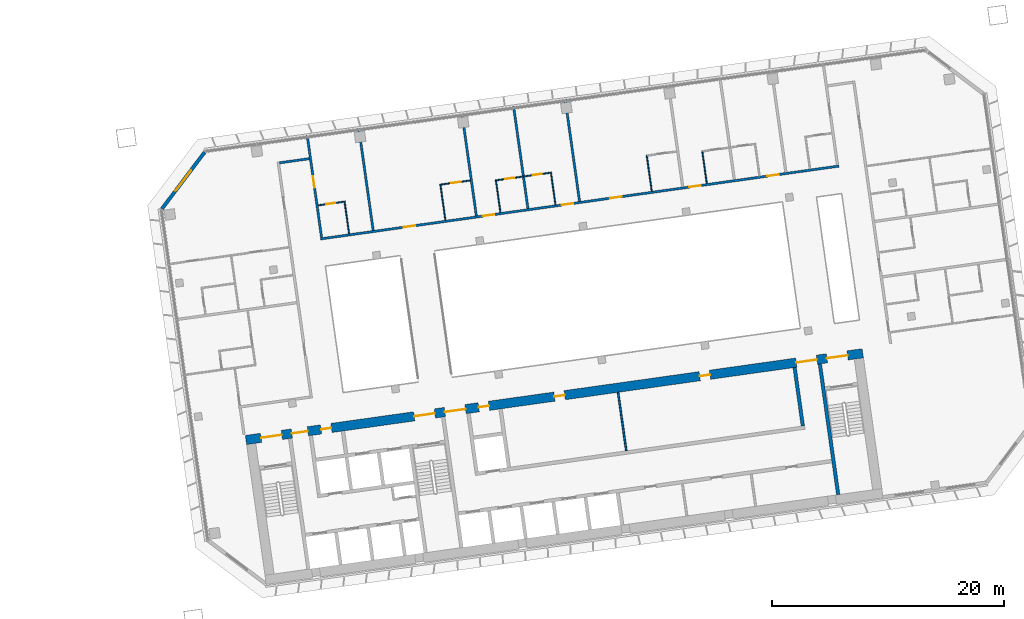
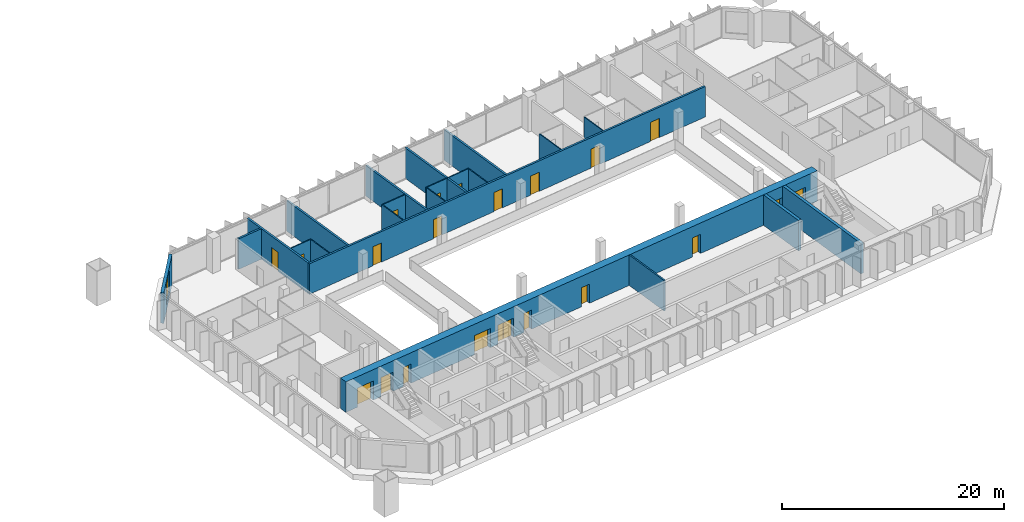
# One storey, part 20 of 26: 21 doors, 21 walls, 1 window, 22 openings.
"""IFC4 building model written with IfcOpenShell, lengths in metres."""

from ifc_helpers import new_model, si_unit, direction, frame, frame_2d, origin, place, context, subcontext, project, spatial, rectangle, extrude, material, layer, layer_set, type_object, element, fill, save


model = new_model("IFC4")

# Units and contexts
model_context = context("Model", 3, precision=1e-05, world=origin(), true_north=direction((0.0, 1.0)))
body_context = subcontext(model_context, "Body", "Model", "MODEL_VIEW")
ifc_project = project(units=[si_unit("LENGTHUNIT", "METRE"), si_unit("AREAUNIT", "SQUARE_METRE"), si_unit("VOLUMEUNIT", "CUBIC_METRE"), si_unit("PLANEANGLEUNIT", "RADIAN"), si_unit("MASSUNIT", "GRAM", prefix="KILO")], contexts=[model_context])

# Site, building, storey
site_placement = place(None, origin())
site = spatial("IfcSite", under=ifc_project, at=site_placement, CompositionType="ELEMENT")
building_placement = place(site_placement, origin())
building = spatial("IfcBuilding", under=site, at=building_placement, Name="Mirante Cascada Hotel Towers", CompositionType="ELEMENT")
storey_placement = place(building_placement, frame((0.0, 0.0, 113.9)))
storey = spatial("IfcBuildingStorey", under=building, at=storey_placement, Name="L25", CompositionType="ELEMENT", Elevation=113.9)

# Wall, openings, doors
ifc_material_1 = material(Name="Fire-rated plasterboard on metal studs")
ifc_layer_1 = layer(ifc_material_1, 0.2)
ifc_layer_set_1 = layer_set([ifc_layer_1], Name="Compartment wall 200 EI 120")
wall_type_1 = type_object("IfcWallType", Name="Compartment wall 200 EI 120", PredefinedType="PARTITIONING", material=ifc_layer_set_1)
wall_1_placement = place(storey_placement, frame((86.638, 16.0582, 0.0), z_axis=(0.0, 0.0, 1.0), x_axis=(-0.9902681, -0.1391726, 0.0)))
wall_1 = element("IfcWall", 1, at=wall_1_placement, inside=storey, type_object=wall_type_1, Name="Wall 2-L25-17", PredefinedType="PARTITIONING", context=body_context, shape_type="SweptSolid", body=[
    extrude(rectangle(XDim=45.2, YDim=0.2, at=frame_2d((22.6, 0.0))), origin(), (0.0, 0.0, 1.0), 3.35),
])
opening_1_placement = place(wall_1_placement, frame((36.95, 0.0, 0.0)))
opening_1 = element("IfcOpeningElement", 2, at=opening_1_placement, cuts=wall_1, Name="Opening D2-L25-07", PredefinedType="OPENING", context=body_context, shape_type="SweptSolid", body=[
    extrude(rectangle(XDim=1.0, YDim=2.1, at=frame_2d((0.5, 1.05))), frame((0.0, 0.1, 0.0), z_axis=(0.0, -1.0, 0.0), x_axis=(1.0, 0.0, 0.0)), (0.0, 0.0, 1.0), 0.2),
])
opening_2_placement = place(wall_1_placement, frame((30.05, 0.0, 0.0)))
opening_2 = element("IfcOpeningElement", 3, at=opening_2_placement, cuts=wall_1, Name="Opening D2-L25-08", PredefinedType="OPENING", context=body_context, shape_type="SweptSolid", body=[
    extrude(rectangle(XDim=1.0, YDim=2.1, at=frame_2d((0.5, 1.05))), frame((0.0, 0.1, 0.0), z_axis=(0.0, -1.0, 0.0), x_axis=(1.0, 0.0, 0.0)), (0.0, 0.0, 1.0), 0.2),
])
opening_3_placement = place(wall_1_placement, frame((23.15, 0.0, 0.0)))
opening_3 = element("IfcOpeningElement", 4, at=opening_3_placement, cuts=wall_1, Name="Opening D2-L25-09", PredefinedType="OPENING", context=body_context, shape_type="SweptSolid", body=[
    extrude(rectangle(XDim=1.0, YDim=2.1, at=frame_2d((0.5, 1.05))), frame((0.0, 0.1, 0.0), z_axis=(0.0, -1.0, 0.0), x_axis=(1.0, 0.0, 0.0)), (0.0, 0.0, 1.0), 0.2),
])
opening_4_placement = place(wall_1_placement, frame((18.95, 0.0, 0.0)))
opening_4 = element("IfcOpeningElement", 5, at=opening_4_placement, cuts=wall_1, Name="Opening D2-L25-10", PredefinedType="OPENING", context=body_context, shape_type="SweptSolid", body=[
    extrude(rectangle(XDim=1.0, YDim=2.1, at=frame_2d((0.5, 1.05))), frame((0.0, 0.1, 0.0), z_axis=(0.0, -1.0, 0.0), x_axis=(1.0, 0.0, 0.0)), (0.0, 0.0, 1.0), 0.2),
])
opening_5_placement = place(wall_1_placement, frame((12.05, 0.0, 0.0)))
opening_5 = element("IfcOpeningElement", 6, at=opening_5_placement, cuts=wall_1, Name="Opening D2-L25-11", PredefinedType="OPENING", context=body_context, shape_type="SweptSolid", body=[
    extrude(rectangle(XDim=1.0, YDim=2.1, at=frame_2d((0.5, 1.05))), frame((0.0, 0.1, 0.0), z_axis=(0.0, -1.0, 0.0), x_axis=(1.0, 0.0, 0.0)), (0.0, 0.0, 1.0), 0.2),
])
opening_6_placement = place(wall_1_placement, frame((5.25, 0.0, 0.0)))
opening_6 = element("IfcOpeningElement", 7, at=opening_6_placement, cuts=wall_1, Name="Opening D2-L25-12", PredefinedType="OPENING", context=body_context, shape_type="SweptSolid", body=[
    extrude(rectangle(XDim=1.0, YDim=2.1, at=frame_2d((0.5, 1.05))), frame((0.0, 0.1, 0.0), z_axis=(0.0, -1.0, 0.0), x_axis=(1.0, 0.0, 0.0)), (0.0, 0.0, 1.0), 0.2),
])
ifc_material_2 = material(Name="Fire-rated timber door leaf", Category="wood")
door_type_1 = type_object("IfcDoorType", Name="Entrance door DG1 1000x2100 EI 60", OperationType="SINGLE_SWING_LEFT", PredefinedType="DOOR", material=ifc_material_2)
door_1_placement = place(opening_1_placement, frame((1.0, 0.0, 0.0), z_axis=(0.0, 0.0, 1.0), x_axis=(-1.0, 0.0, 0.0)))
door_1 = element("IfcDoor", 8, at=door_1_placement, inside=storey, type_object=door_type_1, Name="Door D2-L25-07", OperationType="SINGLE_SWING_RIGHT", OverallHeight=2.1, OverallWidth=1.0, PredefinedType="DOOR", context=body_context, shape_type="SweptSolid", body=[
    extrude(rectangle(XDim=1.0, YDim=2.1, at=frame_2d((0.5, 1.05))), frame((0.0, 0.025, 0.0), z_axis=(0.0, -1.0, 0.0), x_axis=(1.0, 0.0, 0.0)), (0.0, 0.0, 1.0), 0.05),
])
fill(opening_1, door_1)
door_2_placement = place(opening_2_placement, frame((1.0, 0.0, 0.0), z_axis=(0.0, 0.0, 1.0), x_axis=(-1.0, 0.0, 0.0)))
door_2 = element("IfcDoor", 9, at=door_2_placement, inside=storey, type_object=door_type_1, Name="Door D2-L25-08", OperationType="SINGLE_SWING_RIGHT", OverallHeight=2.1, OverallWidth=1.0, PredefinedType="DOOR", context=body_context, shape_type="SweptSolid", body=[
    extrude(rectangle(XDim=1.0, YDim=2.1, at=frame_2d((0.5, 1.05))), frame((0.0, 0.025, 0.0), z_axis=(0.0, -1.0, 0.0), x_axis=(1.0, 0.0, 0.0)), (0.0, 0.0, 1.0), 0.05),
])
fill(opening_2, door_2)
door_3_placement = place(opening_3_placement, frame((1.0, 0.0, 0.0), z_axis=(0.0, 0.0, 1.0), x_axis=(-1.0, 0.0, 0.0)))
door_3 = element("IfcDoor", 10, at=door_3_placement, inside=storey, type_object=door_type_1, Name="Door D2-L25-09", OperationType="SINGLE_SWING_RIGHT", OverallHeight=2.1, OverallWidth=1.0, PredefinedType="DOOR", context=body_context, shape_type="SweptSolid", body=[
    extrude(rectangle(XDim=1.0, YDim=2.1, at=frame_2d((0.5, 1.05))), frame((0.0, 0.025, 0.0), z_axis=(0.0, -1.0, 0.0), x_axis=(1.0, 0.0, 0.0)), (0.0, 0.0, 1.0), 0.05),
])
fill(opening_3, door_3)
door_4_placement = place(opening_4_placement, frame((1.0, 0.0, 0.0), z_axis=(0.0, 0.0, 1.0), x_axis=(-1.0, 0.0, 0.0)))
door_4 = element("IfcDoor", 11, at=door_4_placement, inside=storey, type_object=door_type_1, Name="Door D2-L25-10", OperationType="SINGLE_SWING_RIGHT", OverallHeight=2.1, OverallWidth=1.0, PredefinedType="DOOR", context=body_context, shape_type="SweptSolid", body=[
    extrude(rectangle(XDim=1.0, YDim=2.1, at=frame_2d((0.5, 1.05))), frame((0.0, 0.025, 0.0), z_axis=(0.0, -1.0, 0.0), x_axis=(1.0, 0.0, 0.0)), (0.0, 0.0, 1.0), 0.05),
])
fill(opening_4, door_4)
door_5_placement = place(opening_5_placement, frame((1.0, 0.0, 0.0), z_axis=(0.0, 0.0, 1.0), x_axis=(-1.0, 0.0, 0.0)))
door_5 = element("IfcDoor", 12, at=door_5_placement, inside=storey, type_object=door_type_1, Name="Door D2-L25-11", OperationType="SINGLE_SWING_RIGHT", OverallHeight=2.1, OverallWidth=1.0, PredefinedType="DOOR", context=body_context, shape_type="SweptSolid", body=[
    extrude(rectangle(XDim=1.0, YDim=2.1, at=frame_2d((0.5, 1.05))), frame((0.0, 0.025, 0.0), z_axis=(0.0, -1.0, 0.0), x_axis=(1.0, 0.0, 0.0)), (0.0, 0.0, 1.0), 0.05),
])
fill(opening_5, door_5)
door_6_placement = place(opening_6_placement, frame((1.0, 0.0, 0.0), z_axis=(0.0, 0.0, 1.0), x_axis=(-1.0, 0.0, 0.0)))
door_6 = element("IfcDoor", 13, at=door_6_placement, inside=storey, type_object=door_type_1, Name="Door D2-L25-12", OperationType="SINGLE_SWING_RIGHT", OverallHeight=2.1, OverallWidth=1.0, PredefinedType="DOOR", context=body_context, shape_type="SweptSolid", body=[
    extrude(rectangle(XDim=1.0, YDim=2.1, at=frame_2d((0.5, 1.05))), frame((0.0, 0.025, 0.0), z_axis=(0.0, -1.0, 0.0), x_axis=(1.0, 0.0, 0.0)), (0.0, 0.0, 1.0), 0.05),
])
fill(opening_6, door_6)

# Wall
wall_2_placement = place(storey_placement, frame((38.329, 16.3376, 0.0), z_axis=(0.0, 0.0, 1.0), x_axis=(0.9902647, 0.1391971, 0.0)))
element("IfcWall", 14, at=wall_2_placement, inside=storey, type_object=wall_type_1, Name="Wall 2-L25-24", PredefinedType="PARTITIONING", context=body_context, shape_type="SweptSolid", body=[
    extrude(rectangle(XDim=2.5999, YDim=0.2, at=frame_2d((1.3, 0.0))), origin(), (0.0, 0.0, 1.0), 3.35),
])

# Wall, opening, door
wall_3_placement = place(storey_placement, frame((41.963, 9.8805, 0.0), z_axis=(0.0, 0.0, 1.0), x_axis=(-0.1391794, 0.9902672, 0.0)))
wall_3 = element("IfcWall", 15, at=wall_3_placement, inside=storey, type_object=wall_type_1, Name="Wall 2-L25-34", PredefinedType="PARTITIONING", context=body_context, shape_type="SweptSolid", body=[
    extrude(rectangle(XDim=8.9, YDim=0.2, at=frame_2d((4.45, 0.0))), origin(), (0.0, 0.0, 1.0), 3.35),
])
opening_7_placement = place(wall_3_placement, frame((4.35, 0.0, 0.0)))
opening_7 = element("IfcOpeningElement", 16, at=opening_7_placement, cuts=wall_3, Name="Opening D2-L25-28", PredefinedType="OPENING", context=body_context, shape_type="SweptSolid", body=[
    extrude(rectangle(XDim=1.0, YDim=2.1, at=frame_2d((0.5, 1.05))), frame((0.0, 0.1, 0.0), z_axis=(0.0, -1.0, 0.0), x_axis=(1.0, 0.0, 0.0)), (0.0, 0.0, 1.0), 0.2),
])
door_7_placement = place(opening_7_placement, frame((1.0, 0.0, 0.0), z_axis=(0.0, 0.0, 1.0), x_axis=(-1.0, 0.0, 0.0)))
door_7 = element("IfcDoor", 17, at=door_7_placement, inside=storey, type_object=door_type_1, Name="Door D2-L25-28", OperationType="SINGLE_SWING_RIGHT", OverallHeight=2.1, OverallWidth=1.0, PredefinedType="DOOR", context=body_context, shape_type="SweptSolid", body=[
    extrude(rectangle(XDim=1.0, YDim=2.1, at=frame_2d((0.5, 1.05))), frame((0.0, 0.025, 0.0), z_axis=(0.0, -1.0, 0.0), x_axis=(1.0, 0.0, 0.0)), (0.0, 0.0, 1.0), 0.05),
])
fill(opening_7, door_7)

# Walls
for number, where, z_axis, x_axis, name in (
    (18, (46.4192, 10.5068, 0.0), (0.0, 0.0, 1.0), (-0.1391794, 0.9902672, 0.0), "Wall 2-L25-36"),
    (19, (55.3316, 11.7594, 0.0), (0.0, 0.0, 1.0), (-0.1391794, 0.9902672, 0.0), "Wall 2-L25-38"),
):
    element("IfcWall", number, at=place(storey_placement, frame(where, z_axis=z_axis, x_axis=x_axis)), inside=storey, type_object=wall_type_1, Name=name, PredefinedType="PARTITIONING", context=body_context, shape_type="SweptSolid", body=[
        extrude(rectangle(XDim=8.9, YDim=0.2, at=frame_2d((4.45, 0.0))), origin(), (0.0, 0.0, 1.0), 3.35),
    ])
wall_4_placement = place(storey_placement, frame((59.7878, 12.3857, 0.0), z_axis=(0.0, 0.0, 1.0), x_axis=(-0.13917, 0.9902685, 0.0)))
element("IfcWall", 20, at=wall_4_placement, inside=storey, type_object=wall_type_1, Name="Wall 2-L25-40", PredefinedType="PARTITIONING", context=body_context, shape_type="SweptSolid", body=[
    extrude(rectangle(XDim=8.8999, YDim=0.2, at=frame_2d((4.45, 0.0))), origin(), (0.0, 0.0, 1.0), 3.35),
])
wall_5_placement = place(storey_placement, frame((64.244, 13.0119, 0.0), z_axis=(0.0, 0.0, 1.0), x_axis=(-0.1391684, 0.9902687, 0.0)))
element("IfcWall", 21, at=wall_5_placement, inside=storey, type_object=wall_type_1, Name="Wall 2-L25-42", PredefinedType="PARTITIONING", context=body_context, shape_type="SweptSolid", body=[
    extrude(rectangle(XDim=8.9, YDim=0.2, at=frame_2d((4.45, 0.0))), origin(), (0.0, 0.0, 1.0), 3.35),
])
ifc_material_3 = material(Name="Masonry block", Category="masonry")
ifc_layer_2 = layer(ifc_material_3, 0.15)
ifc_layer_set_2 = layer_set([ifc_layer_2], Name="Core room partition 150 block EI 30")
wall_type_2 = type_object("IfcWallType", Name="Core room partition 150 block EI 30", PredefinedType="PARTITIONING", material=ifc_layer_set_2)
wall_6_placement = place(storey_placement, frame((68.2822, -8.5358, 0.0), z_axis=(0.0, 0.0, 1.0), x_axis=(-0.1391755, 0.9902677, 0.0)))
element("IfcWall", 22, at=wall_6_placement, inside=storey, type_object=wall_type_2, Name="Core wall partition T2 L25 6", PredefinedType="PARTITIONING", context=body_context, shape_type="SweptSolid", body=[
    extrude(rectangle(XDim=5.1, YDim=0.15, at=frame_2d((2.55, 0.0))), origin(), (0.0, 0.0, 1.0), 3.35),
])

# Wall, opening, door
ifc_material_4 = material(Name="Plasterboard on metal studs")
ifc_layer_3 = layer(ifc_material_4, 0.1)
ifc_layer_set_3 = layer_set([ifc_layer_3], Name="Partition 100")
wall_type_3 = type_object("IfcWallType", Name="Partition 100", PredefinedType="PARTITIONING", material=ifc_layer_set_3)
wall_7_placement = place(storey_placement, frame((41.6723, 12.6672, 0.0), z_axis=(0.0, 0.0, 1.0), x_axis=(0.9902643, 0.1391997, 0.0)))
wall_7 = element("IfcWall", 23, at=wall_7_placement, inside=storey, type_object=wall_type_3, Name="Wall 2-L25-18", PredefinedType="PARTITIONING", context=body_context, shape_type="SweptSolid", body=[
    extrude(rectangle(XDim=2.25, YDim=0.1, at=frame_2d((1.125, 0.0))), origin(), (0.0, 0.0, 1.0), 3.35),
])
opening_8_placement = place(wall_7_placement, frame((0.7, 0.0, 0.0)))
opening_8 = element("IfcOpeningElement", 24, at=opening_8_placement, cuts=wall_7, Name="Opening D2-L25-13", PredefinedType="OPENING", context=body_context, shape_type="SweptSolid", body=[
    extrude(rectangle(XDim=0.8, YDim=2.1, at=frame_2d((0.4, 1.05))), frame((0.0, 0.05, 0.0), z_axis=(0.0, -1.0, 0.0), x_axis=(1.0, 0.0, 0.0)), (0.0, 0.0, 1.0), 0.1),
])
ifc_material_5 = material(Name="Timber door leaf", Category="wood")
door_type_2 = type_object("IfcDoorType", Name="Bathroom door DG4 800x2100", OperationType="SINGLE_SWING_LEFT", PredefinedType="DOOR", material=ifc_material_5)
door_8_placement = place(opening_8_placement, origin())
door_8 = element("IfcDoor", 25, at=door_8_placement, inside=storey, type_object=door_type_2, Name="Door D2-L25-13", OperationType="SINGLE_SWING_LEFT", OverallHeight=2.1, OverallWidth=0.8, PredefinedType="DOOR", context=body_context, shape_type="SweptSolid", body=[
    extrude(rectangle(XDim=0.8, YDim=2.1, at=frame_2d((0.4, 1.05))), frame((0.0, 0.025, 0.0), z_axis=(0.0, -1.0, 0.0), x_axis=(1.0, 0.0, 0.0)), (0.0, 0.0, 1.0), 0.05),
])
fill(opening_8, door_8)

# Wall, openings, doors
wall_8_placement = place(storey_placement, frame((61.8243, 15.4994, 0.0), z_axis=(0.0, 0.0, 1.0), x_axis=(-0.9902666, -0.1391838, 0.0)))
wall_8 = element("IfcWall", 26, at=wall_8_placement, inside=storey, type_object=wall_type_3, Name="Wall 2-L25-19", PredefinedType="PARTITIONING", context=body_context, shape_type="SweptSolid", body=[
    extrude(rectangle(XDim=4.9, YDim=0.1, at=frame_2d((2.45, 0.0))), origin(), (0.0, 0.0, 1.0), 3.35),
])
opening_9_placement = place(wall_8_placement, frame((3.25, 0.0, 0.0)))
opening_9 = element("IfcOpeningElement", 27, at=opening_9_placement, cuts=wall_8, Name="Opening D2-L25-14", PredefinedType="OPENING", context=body_context, shape_type="SweptSolid", body=[
    extrude(rectangle(XDim=0.8, YDim=2.1, at=frame_2d((0.4, 1.05))), frame((0.0, 0.05, 0.0), z_axis=(0.0, -1.0, 0.0), x_axis=(1.0, 0.0, 0.0)), (0.0, 0.0, 1.0), 0.1),
])
opening_10_placement = place(wall_8_placement, frame((0.85, 0.0, 0.0)))
opening_10 = element("IfcOpeningElement", 28, at=opening_10_placement, cuts=wall_8, Name="Opening D2-L25-15", PredefinedType="OPENING", context=body_context, shape_type="SweptSolid", body=[
    extrude(rectangle(XDim=0.8, YDim=2.1, at=frame_2d((0.4, 1.05))), frame((0.0, 0.05, 0.0), z_axis=(0.0, -1.0, 0.0), x_axis=(1.0, 0.0, 0.0)), (0.0, 0.0, 1.0), 0.1),
])
door_9_placement = place(opening_9_placement, frame((0.8, 0.0, 0.0), z_axis=(0.0, 0.0, 1.0), x_axis=(-1.0, 0.0, 0.0)))
door_9 = element("IfcDoor", 29, at=door_9_placement, inside=storey, type_object=door_type_2, Name="Door D2-L25-14", OperationType="SINGLE_SWING_RIGHT", OverallHeight=2.1, OverallWidth=0.8, PredefinedType="DOOR", context=body_context, shape_type="SweptSolid", body=[
    extrude(rectangle(XDim=0.8, YDim=2.1, at=frame_2d((0.4, 1.05))), frame((0.0, 0.025, 0.0), z_axis=(0.0, -1.0, 0.0), x_axis=(1.0, 0.0, 0.0)), (0.0, 0.0, 1.0), 0.05),
])
fill(opening_9, door_9)
door_10_placement = place(opening_10_placement, frame((0.8, 0.0, 0.0), z_axis=(0.0, 0.0, 1.0), x_axis=(-1.0, 0.0, 0.0)))
door_10 = element("IfcDoor", 30, at=door_10_placement, inside=storey, type_object=door_type_2, Name="Door D2-L25-15", OperationType="SINGLE_SWING_RIGHT", OverallHeight=2.1, OverallWidth=0.8, PredefinedType="DOOR", context=body_context, shape_type="SweptSolid", body=[
    extrude(rectangle(XDim=0.8, YDim=2.1, at=frame_2d((0.4, 1.05))), frame((0.0, 0.025, 0.0), z_axis=(0.0, -1.0, 0.0), x_axis=(1.0, 0.0, 0.0)), (0.0, 0.0, 1.0), 0.05),
])
fill(opening_10, door_10)

# Wall, opening, door
wall_9_placement = place(storey_placement, frame((52.2759, 14.4604, 0.0), z_axis=(0.0, 0.0, 1.0), x_axis=(0.9902677, 0.1391755, 0.0)))
wall_9 = element("IfcWall", 31, at=wall_9_placement, inside=storey, type_object=wall_type_3, Name="Wall 2-L25-22", PredefinedType="PARTITIONING", context=body_context, shape_type="SweptSolid", body=[
    extrude(rectangle(XDim=2.55, YDim=0.1, at=frame_2d((1.275, 0.0))), origin(), (0.0, 0.0, 1.0), 3.35),
])
opening_11_placement = place(wall_9_placement, frame((0.9, 0.0, 0.0)))
opening_11 = element("IfcOpeningElement", 32, at=opening_11_placement, cuts=wall_9, Name="Opening D2-L25-19", PredefinedType="OPENING", context=body_context, shape_type="SweptSolid", body=[
    extrude(rectangle(XDim=0.8, YDim=2.1, at=frame_2d((0.4, 1.05))), frame((0.0, 0.05, 0.0), z_axis=(0.0, -1.0, 0.0), x_axis=(1.0, 0.0, 0.0)), (0.0, 0.0, 1.0), 0.1),
])
door_11_placement = place(opening_11_placement, origin())
door_11 = element("IfcDoor", 33, at=door_11_placement, inside=storey, type_object=door_type_2, Name="Door D2-L25-19", OperationType="SINGLE_SWING_LEFT", OverallHeight=2.1, OverallWidth=0.8, PredefinedType="DOOR", context=body_context, shape_type="SweptSolid", body=[
    extrude(rectangle(XDim=0.8, YDim=2.1, at=frame_2d((0.4, 1.05))), frame((0.0, 0.025, 0.0), z_axis=(0.0, -1.0, 0.0), x_axis=(1.0, 0.0, 0.0)), (0.0, 0.0, 1.0), 0.05),
])
fill(opening_11, door_11)

# Walls
wall_10_placement = place(storey_placement, frame((43.943, 13.0368, 0.0), z_axis=(0.0, 0.0, 1.0), x_axis=(0.1391613, -0.9902697, 0.0)))
element("IfcWall", 34, at=wall_10_placement, inside=storey, type_object=wall_type_3, Name="Wall 2-L25-35", PredefinedType="PARTITIONING", context=body_context, shape_type="SweptSolid", body=[
    extrude(rectangle(XDim=2.8499, YDim=0.1, at=frame_2d((1.425, 0.0))), origin(), (0.0, 0.0, 1.0), 3.35),
])
wall_11_placement = place(storey_placement, frame((52.2195, 14.503, 0.0), z_axis=(0.0, 0.0, 1.0), x_axis=(0.1391721, -0.9902682, 0.0)))
element("IfcWall", 35, at=wall_11_placement, inside=storey, type_object=wall_type_3, Name="Wall 2-L25-37", PredefinedType="PARTITIONING", context=body_context, shape_type="SweptSolid", body=[
    extrude(rectangle(XDim=3.1501, YDim=0.1, at=frame_2d((1.575, 0.0))), origin(), (0.0, 0.0, 1.0), 3.35),
])
wall_12_placement = place(storey_placement, frame((57.0284, 14.7749, 0.0), z_axis=(0.0, 0.0, 1.0), x_axis=(0.1391963, -0.9902648, 0.0)))
element("IfcWall", 36, at=wall_12_placement, inside=storey, type_object=wall_type_3, Name="Wall 2-L25-39", PredefinedType="PARTITIONING", context=body_context, shape_type="SweptSolid", body=[
    extrude(rectangle(XDim=2.7501, YDim=0.1, at=frame_2d((1.3751, 0.0))), origin(), (0.0, 0.0, 1.0), 3.35),
])
wall_13_placement = place(storey_placement, frame((61.7817, 15.4429, 0.0), z_axis=(0.0, 0.0, 1.0), x_axis=(0.1391657, -0.9902691, 0.0)))
element("IfcWall", 37, at=wall_13_placement, inside=storey, type_object=wall_type_3, Name="Wall 2-L25-41", PredefinedType="PARTITIONING", context=body_context, shape_type="SweptSolid", body=[
    extrude(rectangle(XDim=2.75, YDim=0.1, at=frame_2d((1.375, 0.0))), origin(), (0.0, 0.0, 1.0), 3.35),
])
wall_14_placement = place(storey_placement, frame((70.0443, 17.0081, 0.0), z_axis=(0.0, 0.0, 1.0), x_axis=(0.1391721, -0.9902682, 0.0)))
element("IfcWall", 38, at=wall_14_placement, inside=storey, type_object=wall_type_3, Name="Wall 2-L25-43", PredefinedType="PARTITIONING", context=body_context, shape_type="SweptSolid", body=[
    extrude(rectangle(XDim=3.1501, YDim=0.1, at=frame_2d((1.575, 0.0))), origin(), (0.0, 0.0, 1.0), 3.35),
])
wall_15_placement = place(storey_placement, frame((74.8533, 17.28, 0.0), z_axis=(0.0, 0.0, 1.0), x_axis=(0.1391657, -0.9902691, 0.0)))
element("IfcWall", 39, at=wall_15_placement, inside=storey, type_object=wall_type_3, Name="Wall 2-L25-45", PredefinedType="PARTITIONING", context=body_context, shape_type="SweptSolid", body=[
    extrude(rectangle(XDim=2.75, YDim=0.1, at=frame_2d((1.375, 0.0))), origin(), (0.0, 0.0, 1.0), 3.35),
])

# Wall, opening, window
ifc_material_6 = material(Name="Precast concrete C40/50", Category="concrete")
ifc_layer_4 = layer(ifc_material_6, 0.3)
ifc_layer_set_4 = layer_set([ifc_layer_4], Name="Precast concrete C40/50 cladding wall 300")
wall_type_4 = type_object("IfcWallType", Name="Precast concrete C40/50 cladding wall 300", PredefinedType="STANDARD", material=ifc_layer_set_4)
wall_16_placement = place(storey_placement, frame((31.857, 17.252, 0.0), z_axis=(0.0, 0.0, 1.0), x_axis=(-0.6018141, -0.7986362, 0.0)))
wall_16 = element("IfcWall", 40, at=wall_16_placement, inside=storey, type_object=wall_type_4, Name="Corner cladding wall T2 L25 front inner", PredefinedType="STANDARD", context=body_context, shape_type="SweptSolid", body=[
    extrude(rectangle(XDim=6.1157, YDim=0.3, at=frame_2d((3.0578, 0.0))), origin(), (0.0, 0.0, 1.0), 3.35),
])
opening_12_placement = place(wall_16_placement, frame((1.9578, 0.0, 0.6)))
opening_12 = element("IfcOpeningElement", 41, at=opening_12_placement, cuts=wall_16, Name="Opening W2-25-05", PredefinedType="OPENING", context=body_context, shape_type="SweptSolid", body=[
    extrude(rectangle(XDim=2.2, YDim=2.4, at=frame_2d((1.1, 1.2))), frame((0.0, 0.15, 0.0), z_axis=(0.0, -1.0, 0.0), x_axis=(1.0, 0.0, 0.0)), (0.0, 0.0, 1.0), 0.3),
])
ifc_material_7 = material(Name="Aluminium frame with clear double glazing", Category="aluminium")
window_type = type_object("IfcWindowType", Name="Corner suite window 2200x2400", PartitioningType="DOUBLE_PANEL_VERTICAL", PredefinedType="WINDOW", material=ifc_material_7)
window_placement = place(opening_12_placement, origin())
window = element("IfcWindow", 42, at=window_placement, inside=storey, type_object=window_type, Name="Window W2-25-05", OverallHeight=2.4, OverallWidth=2.2, PartitioningType="SINGLE_PANEL", PredefinedType="WINDOW", context=body_context, shape_type="SweptSolid", body=[
    extrude(rectangle(XDim=2.2, YDim=2.4, at=frame_2d((1.1, 1.2))), frame((0.0, 0.03, 0.0), z_axis=(0.0, -1.0, 0.0), x_axis=(1.0, 0.0, 0.0)), (0.0, 0.0, 1.0), 0.06),
])
fill(opening_12, window)

# Walls
ifc_material_8 = material(Name="Concrete C50/60", Category="concrete")
ifc_layer_5 = layer(ifc_material_8, 0.3)
ifc_layer_set_5 = layer_set([ifc_layer_5], Name="RC core wall 300 C50/60")
wall_type_5 = type_object("IfcWallType", Name="RC core wall 300 C50/60", PredefinedType="SHEAR", material=ifc_layer_set_5)
wall_17_placement = place(storey_placement, frame((86.5877, -12.325, 0.0), z_axis=(0.0, 0.0, 1.0), x_axis=(-0.1391749, 0.9902678, 0.0)))
element("IfcWall", 43, at=wall_17_placement, inside=storey, type_object=wall_type_5, Name="Core wall T2:L25:8", PredefinedType="SHEAR", context=body_context, shape_type="SweptSolid", body=[
    extrude(rectangle(XDim=11.4, YDim=0.3, at=frame_2d((5.7, 0.0))), origin(), (0.0, 0.0, 1.0), 3.35),
])
wall_18_placement = place(storey_placement, frame((83.5323, -6.3925, 0.0), z_axis=(0.0, 0.0, 1.0), x_axis=(-0.1391755, 0.9902677, 0.0)))
element("IfcWall", 44, at=wall_18_placement, inside=storey, type_object=wall_type_5, Name="Core wall T2:L25:34", PredefinedType="SHEAR", context=body_context, shape_type="SweptSolid", body=[
    extrude(rectangle(XDim=5.1, YDim=0.3, at=frame_2d((2.55, 0.0))), origin(), (0.0, 0.0, 1.0), 3.35),
])

# Wall, openings, doors
ifc_material_9 = material(Name="Concrete C50/60", Category="concrete")
ifc_layer_6 = layer(ifc_material_9, 0.8)
ifc_layer_set_6 = layer_set([ifc_layer_6], Name="RC core wall 800 C50/60")
wall_type_6 = type_object("IfcWallType", Name="RC core wall 800 C50/60", PredefinedType="SHEAR", material=ifc_layer_set_6)
wall_19_placement = place(storey_placement, frame((35.432, -7.5985, 0.0), z_axis=(0.0, 0.0, 1.0), x_axis=(0.9902681, 0.1391729, 0.0)))
wall_19 = element("IfcWall", 45, at=wall_19_placement, inside=storey, type_object=wall_type_6, Name="Core wall T2:L25:2", PredefinedType="SHEAR", context=body_context, shape_type="SweptSolid", body=[
    extrude(rectangle(XDim=53.8, YDim=0.8, at=frame_2d((26.9, 0.0))), origin(), (0.0, 0.0, 1.0), 3.35),
])
opening_13_placement = place(wall_19_placement, frame((1.325, 0.0, 0.0)))
opening_13 = element("IfcOpeningElement", 46, at=opening_13_placement, cuts=wall_19, Name="Opening D2-25-C14", PredefinedType="OPENING", context=body_context, shape_type="SweptSolid", body=[
    extrude(rectangle(XDim=1.8, YDim=2.1, at=frame_2d((0.9, 1.05))), frame((0.0, 0.4, 0.0), z_axis=(0.0, -1.0, 0.0), x_axis=(1.0, 0.0, 0.0)), (0.0, 0.0, 1.0), 0.8),
])
opening_14_placement = place(wall_19_placement, frame((14.675, 0.0, 0.0)))
opening_14 = element("IfcOpeningElement", 47, at=opening_14_placement, cuts=wall_19, Name="Opening D2-25-C16", PredefinedType="OPENING", context=body_context, shape_type="SweptSolid", body=[
    extrude(rectangle(XDim=1.8, YDim=2.1, at=frame_2d((0.9, 1.05))), frame((0.0, 0.4, 0.0), z_axis=(0.0, -1.0, 0.0), x_axis=(1.0, 0.0, 0.0)), (0.0, 0.0, 1.0), 0.8),
])
opening_15_placement = place(wall_19_placement, frame((50.675, 0.0, 0.0)))
opening_15 = element("IfcOpeningElement", 48, at=opening_15_placement, cuts=wall_19, Name="Opening D2-25-C18", PredefinedType="OPENING", context=body_context, shape_type="SweptSolid", body=[
    extrude(rectangle(XDim=1.8, YDim=2.1, at=frame_2d((0.9, 1.05))), frame((0.0, 0.4, 0.0), z_axis=(0.0, -1.0, 0.0), x_axis=(1.0, 0.0, 0.0)), (0.0, 0.0, 1.0), 0.8),
])
opening_16_placement = place(wall_19_placement, frame((4.0, 0.0, 0.0)))
opening_16 = element("IfcOpeningElement", 49, at=opening_16_placement, cuts=wall_19, Name="Opening D2-25-C19", PredefinedType="OPENING", context=body_context, shape_type="SweptSolid", body=[
    extrude(rectangle(XDim=1.4, YDim=2.1, at=frame_2d((0.7, 1.05))), frame((0.0, 0.4, 0.0), z_axis=(0.0, -1.0, 0.0), x_axis=(1.0, 0.0, 0.0)), (0.0, 0.0, 1.0), 0.8),
])
opening_17_placement = place(wall_19_placement, frame((17.35, 0.0, 0.0)))
opening_17 = element("IfcOpeningElement", 50, at=opening_17_placement, cuts=wall_19, Name="Opening D2-25-C20", PredefinedType="OPENING", context=body_context, shape_type="SweptSolid", body=[
    extrude(rectangle(XDim=1.8, YDim=2.1, at=frame_2d((0.9, 1.05))), frame((0.0, 0.4, 0.0), z_axis=(0.0, -1.0, 0.0), x_axis=(1.0, 0.0, 0.0)), (0.0, 0.0, 1.0), 0.8),
])
opening_18_placement = place(wall_19_placement, frame((48.0, 0.0, 0.0)))
opening_18 = element("IfcOpeningElement", 51, at=opening_18_placement, cuts=wall_19, Name="Opening D2-25-C21", PredefinedType="OPENING", context=body_context, shape_type="SweptSolid", body=[
    extrude(rectangle(XDim=1.8, YDim=2.1, at=frame_2d((0.9, 1.05))), frame((0.0, 0.4, 0.0), z_axis=(0.0, -1.0, 0.0), x_axis=(1.0, 0.0, 0.0)), (0.0, 0.0, 1.0), 0.8),
])
opening_19_placement = place(wall_19_placement, frame((6.55, 0.0, 0.0)))
opening_19 = element("IfcOpeningElement", 52, at=opening_19_placement, cuts=wall_19, Name="Opening D2-25-C24", PredefinedType="OPENING", context=body_context, shape_type="SweptSolid", body=[
    extrude(rectangle(XDim=0.9, YDim=2.1, at=frame_2d((0.45, 1.05))), frame((0.0, 0.4, 0.0), z_axis=(0.0, -1.0, 0.0), x_axis=(1.0, 0.0, 0.0)), (0.0, 0.0, 1.0), 0.8),
])
opening_20_placement = place(wall_19_placement, frame((20.3, 0.0, 0.0)))
opening_20 = element("IfcOpeningElement", 53, at=opening_20_placement, cuts=wall_19, Name="Opening D2-25-C28", PredefinedType="OPENING", context=body_context, shape_type="SweptSolid", body=[
    extrude(rectangle(XDim=0.9, YDim=2.1, at=frame_2d((0.45, 1.05))), frame((0.0, 0.4, 0.0), z_axis=(0.0, -1.0, 0.0), x_axis=(1.0, 0.0, 0.0)), (0.0, 0.0, 1.0), 0.8),
])
opening_21_placement = place(wall_19_placement, frame((26.9, 0.0, 0.0)))
opening_21 = element("IfcOpeningElement", 54, at=opening_21_placement, cuts=wall_19, Name="Opening D2-25-C29", PredefinedType="OPENING", context=body_context, shape_type="SweptSolid", body=[
    extrude(rectangle(XDim=0.9, YDim=2.1, at=frame_2d((0.45, 1.05))), frame((0.0, 0.4, 0.0), z_axis=(0.0, -1.0, 0.0), x_axis=(1.0, 0.0, 0.0)), (0.0, 0.0, 1.0), 0.8),
])
opening_22_placement = place(wall_19_placement, frame((39.575, 0.0, 0.0)))
opening_22 = element("IfcOpeningElement", 55, at=opening_22_placement, cuts=wall_19, Name="Opening D2-25-C30", PredefinedType="OPENING", context=body_context, shape_type="SweptSolid", body=[
    extrude(rectangle(XDim=0.9, YDim=2.1, at=frame_2d((0.45, 1.05))), frame((0.0, 0.4, 0.0), z_axis=(0.0, -1.0, 0.0), x_axis=(1.0, 0.0, 0.0)), (0.0, 0.0, 1.0), 0.8),
])
ifc_material_10 = material(Name="Hollow metal fire door leaf")
door_type_3 = type_object("IfcDoorType", Name="Double fire door 1400x2100 FD60", OperationType="DOUBLE_DOOR_SINGLE_SWING", PredefinedType="DOOR", material=ifc_material_10)
door_12_placement = place(opening_16_placement, origin())
door_12 = element("IfcDoor", 56, at=door_12_placement, inside=storey, type_object=door_type_3, Name="Exit door to gallery T2 L25 19", OperationType="DOUBLE_DOOR_SINGLE_SWING", OverallHeight=2.1, OverallWidth=1.4, PredefinedType="DOOR", context=body_context, shape_type="SweptSolid", body=[
    extrude(rectangle(XDim=0.695, YDim=2.1, at=frame_2d((0.3475, 1.05))), frame((0.0, 0.025, 0.0), z_axis=(0.0, -1.0, 0.0), x_axis=(1.0, 0.0, 0.0)), (0.0, 0.0, 1.0), 0.05),
    extrude(rectangle(XDim=0.695, YDim=2.1, at=frame_2d((1.0525, 1.05))), frame((0.0, 0.025, 0.0), z_axis=(0.0, -1.0, 0.0), x_axis=(1.0, 0.0, 0.0)), (0.0, 0.0, 1.0), 0.05),
])
fill(opening_16, door_12)
ifc_material_11 = material(Name="Hollow metal fire door leaf")
door_type_4 = type_object("IfcDoorType", Name="Double fire door 1800x2100 FD60", OperationType="DOUBLE_DOOR_SINGLE_SWING", PredefinedType="DOOR", material=ifc_material_11)
door_13_placement = place(opening_13_placement, frame((1.8, 0.0, 0.0), z_axis=(0.0, 0.0, 1.0), x_axis=(-1.0, 0.0, 0.0)))
door_13 = element("IfcDoor", 57, at=door_13_placement, inside=storey, type_object=door_type_4, Name="Exit door to gallery T2 L25 14", OperationType="DOUBLE_DOOR_SINGLE_SWING", OverallHeight=2.1, OverallWidth=1.8, PredefinedType="DOOR", context=body_context, shape_type="SweptSolid", body=[
    extrude(rectangle(XDim=0.895, YDim=2.1, at=frame_2d((0.4475, 1.05))), frame((0.0, 0.025, 0.0), z_axis=(0.0, -1.0, 0.0), x_axis=(1.0, 0.0, 0.0)), (0.0, 0.0, 1.0), 0.05),
    extrude(rectangle(XDim=0.895, YDim=2.1, at=frame_2d((1.3525, 1.05))), frame((0.0, 0.025, 0.0), z_axis=(0.0, -1.0, 0.0), x_axis=(1.0, 0.0, 0.0)), (0.0, 0.0, 1.0), 0.05),
])
fill(opening_13, door_13)
door_14_placement = place(opening_14_placement, frame((1.8, 0.0, 0.0), z_axis=(0.0, 0.0, 1.0), x_axis=(-1.0, 0.0, 0.0)))
door_14 = element("IfcDoor", 58, at=door_14_placement, inside=storey, type_object=door_type_4, Name="Exit door to gallery T2 L25 16", OperationType="DOUBLE_DOOR_SINGLE_SWING", OverallHeight=2.1, OverallWidth=1.8, PredefinedType="DOOR", context=body_context, shape_type="SweptSolid", body=[
    extrude(rectangle(XDim=0.895, YDim=2.1, at=frame_2d((0.4475, 1.05))), frame((0.0, 0.025, 0.0), z_axis=(0.0, -1.0, 0.0), x_axis=(1.0, 0.0, 0.0)), (0.0, 0.0, 1.0), 0.05),
    extrude(rectangle(XDim=0.895, YDim=2.1, at=frame_2d((1.3525, 1.05))), frame((0.0, 0.025, 0.0), z_axis=(0.0, -1.0, 0.0), x_axis=(1.0, 0.0, 0.0)), (0.0, 0.0, 1.0), 0.05),
])
fill(opening_14, door_14)
door_15_placement = place(opening_15_placement, frame((1.8, 0.0, 0.0), z_axis=(0.0, 0.0, 1.0), x_axis=(-1.0, 0.0, 0.0)))
door_15 = element("IfcDoor", 59, at=door_15_placement, inside=storey, type_object=door_type_4, Name="Exit door to gallery T2 L25 18", OperationType="DOUBLE_DOOR_SINGLE_SWING", OverallHeight=2.1, OverallWidth=1.8, PredefinedType="DOOR", context=body_context, shape_type="SweptSolid", body=[
    extrude(rectangle(XDim=0.895, YDim=2.1, at=frame_2d((0.4475, 1.05))), frame((0.0, 0.025, 0.0), z_axis=(0.0, -1.0, 0.0), x_axis=(1.0, 0.0, 0.0)), (0.0, 0.0, 1.0), 0.05),
    extrude(rectangle(XDim=0.895, YDim=2.1, at=frame_2d((1.3525, 1.05))), frame((0.0, 0.025, 0.0), z_axis=(0.0, -1.0, 0.0), x_axis=(1.0, 0.0, 0.0)), (0.0, 0.0, 1.0), 0.05),
])
fill(opening_15, door_15)
door_16_placement = place(opening_17_placement, origin())
door_16 = element("IfcDoor", 60, at=door_16_placement, inside=storey, type_object=door_type_4, Name="Exit door to gallery T2 L25 20", OperationType="DOUBLE_DOOR_SINGLE_SWING", OverallHeight=2.1, OverallWidth=1.8, PredefinedType="DOOR", context=body_context, shape_type="SweptSolid", body=[
    extrude(rectangle(XDim=0.895, YDim=2.1, at=frame_2d((0.4475, 1.05))), frame((0.0, 0.025, 0.0), z_axis=(0.0, -1.0, 0.0), x_axis=(1.0, 0.0, 0.0)), (0.0, 0.0, 1.0), 0.05),
    extrude(rectangle(XDim=0.895, YDim=2.1, at=frame_2d((1.3525, 1.05))), frame((0.0, 0.025, 0.0), z_axis=(0.0, -1.0, 0.0), x_axis=(1.0, 0.0, 0.0)), (0.0, 0.0, 1.0), 0.05),
])
fill(opening_17, door_16)
door_17_placement = place(opening_18_placement, origin())
door_17 = element("IfcDoor", 61, at=door_17_placement, inside=storey, type_object=door_type_4, Name="Exit door to gallery T2 L25 21", OperationType="DOUBLE_DOOR_SINGLE_SWING", OverallHeight=2.1, OverallWidth=1.8, PredefinedType="DOOR", context=body_context, shape_type="SweptSolid", body=[
    extrude(rectangle(XDim=0.895, YDim=2.1, at=frame_2d((0.4475, 1.05))), frame((0.0, 0.025, 0.0), z_axis=(0.0, -1.0, 0.0), x_axis=(1.0, 0.0, 0.0)), (0.0, 0.0, 1.0), 0.05),
    extrude(rectangle(XDim=0.895, YDim=2.1, at=frame_2d((1.3525, 1.05))), frame((0.0, 0.025, 0.0), z_axis=(0.0, -1.0, 0.0), x_axis=(1.0, 0.0, 0.0)), (0.0, 0.0, 1.0), 0.05),
])
fill(opening_18, door_17)
ifc_material_12 = material(Name="Hollow metal fire door leaf")
door_type_5 = type_object("IfcDoorType", Name="Fire door 900x2100 FD60", OperationType="NOTDEFINED", PredefinedType="DOOR", material=ifc_material_12)
door_18_placement = place(opening_19_placement, frame((0.9, 0.0, 0.0), z_axis=(0.0, 0.0, 1.0), x_axis=(-1.0, 0.0, 0.0)))
door_18 = element("IfcDoor", 62, at=door_18_placement, inside=storey, type_object=door_type_5, Name="Room door T2 L25 24", OperationType="SINGLE_SWING_LEFT", OverallHeight=2.1, OverallWidth=0.9, PredefinedType="DOOR", context=body_context, shape_type="SweptSolid", body=[
    extrude(rectangle(XDim=0.9, YDim=2.1, at=frame_2d((0.45, 1.05))), frame((0.0, 0.025, 0.0), z_axis=(0.0, -1.0, 0.0), x_axis=(1.0, 0.0, 0.0)), (0.0, 0.0, 1.0), 0.05),
])
fill(opening_19, door_18)
door_19_placement = place(opening_20_placement, frame((0.9, 0.0, 0.0), z_axis=(0.0, 0.0, 1.0), x_axis=(-1.0, 0.0, 0.0)))
door_19 = element("IfcDoor", 63, at=door_19_placement, inside=storey, type_object=door_type_5, Name="Room door T2 L25 28", OperationType="SINGLE_SWING_LEFT", OverallHeight=2.1, OverallWidth=0.9, PredefinedType="DOOR", context=body_context, shape_type="SweptSolid", body=[
    extrude(rectangle(XDim=0.9, YDim=2.1, at=frame_2d((0.45, 1.05))), frame((0.0, 0.025, 0.0), z_axis=(0.0, -1.0, 0.0), x_axis=(1.0, 0.0, 0.0)), (0.0, 0.0, 1.0), 0.05),
])
fill(opening_20, door_19)
door_20_placement = place(opening_21_placement, frame((0.9, 0.0, 0.0), z_axis=(0.0, 0.0, 1.0), x_axis=(-1.0, 0.0, 0.0)))
door_20 = element("IfcDoor", 64, at=door_20_placement, inside=storey, type_object=door_type_5, Name="Room door T2 L25 29", OperationType="SINGLE_SWING_RIGHT", OverallHeight=2.1, OverallWidth=0.9, PredefinedType="DOOR", context=body_context, shape_type="SweptSolid", body=[
    extrude(rectangle(XDim=0.9, YDim=2.1, at=frame_2d((0.45, 1.05))), frame((0.0, 0.025, 0.0), z_axis=(0.0, -1.0, 0.0), x_axis=(1.0, 0.0, 0.0)), (0.0, 0.0, 1.0), 0.05),
])
fill(opening_21, door_20)
door_21_placement = place(opening_22_placement, frame((0.9, 0.0, 0.0), z_axis=(0.0, 0.0, 1.0), x_axis=(-1.0, 0.0, 0.0)))
door_21 = element("IfcDoor", 65, at=door_21_placement, inside=storey, type_object=door_type_5, Name="Room door T2 L25 30", OperationType="SINGLE_SWING_RIGHT", OverallHeight=2.1, OverallWidth=0.9, PredefinedType="DOOR", context=body_context, shape_type="SweptSolid", body=[
    extrude(rectangle(XDim=0.9, YDim=2.1, at=frame_2d((0.45, 1.05))), frame((0.0, 0.025, 0.0), z_axis=(0.0, -1.0, 0.0), x_axis=(1.0, 0.0, 0.0)), (0.0, 0.0, 1.0), 0.05),
])
fill(opening_22, door_21)

save(model, "model.ifc")
